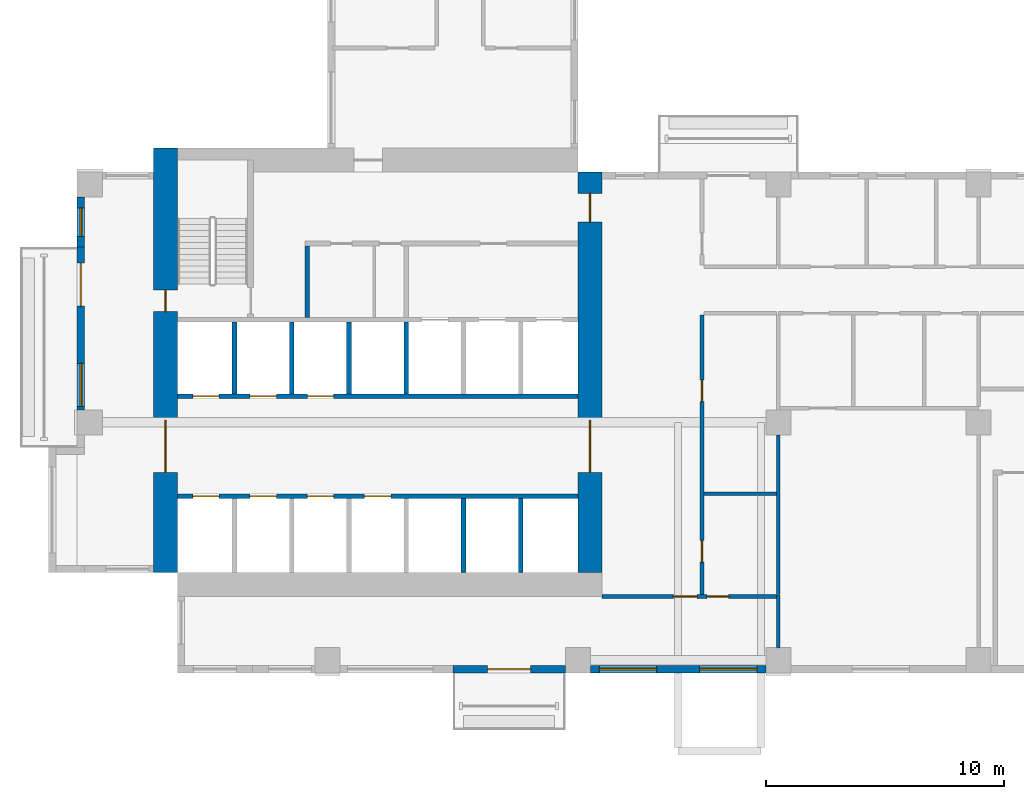
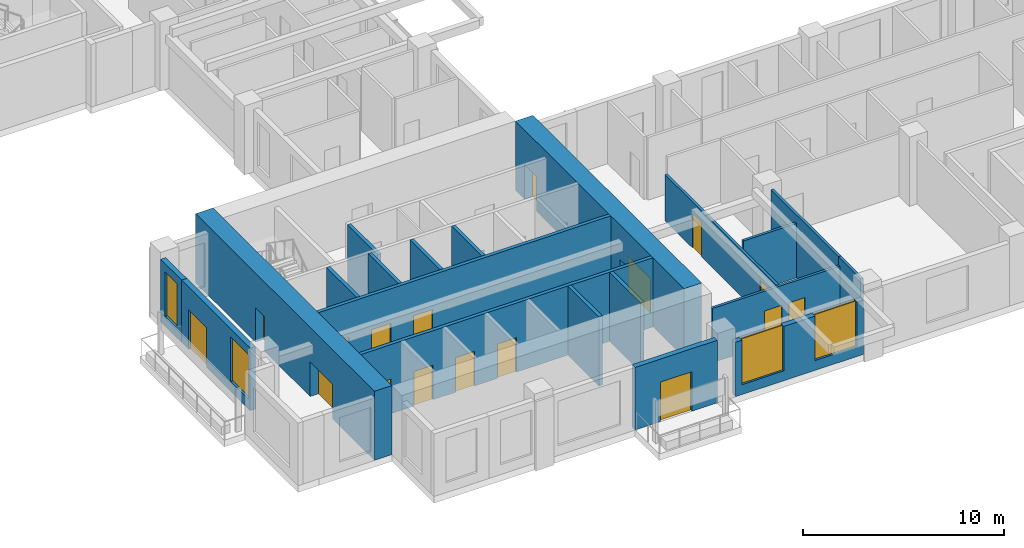
# One storey, part 2 of 14: 20 walls, 17 doors, 4 windows, 21 openings.
"""IFC4 building model written with IfcOpenShell, lengths in metres."""

from ifc_helpers import new_model, si_unit, direction, frame, frame_2d, origin, place, context, subcontext, project, spatial, rectangle, extrude, source, transform, mapped, material, layer, layer_set, type_object, element, fill, save


model = new_model("IFC4")

# Units and contexts
model_context = context("Model", 3, precision=1e-05, world=origin(), true_north=direction((0.0, 1.0)))
body_context = subcontext(model_context, "Body", "Model", "MODEL_VIEW")
ifc_project = project(units=[si_unit("LENGTHUNIT", "METRE"), si_unit("AREAUNIT", "SQUARE_METRE"), si_unit("VOLUMEUNIT", "CUBIC_METRE"), si_unit("PLANEANGLEUNIT", "RADIAN"), si_unit("MASSUNIT", "GRAM", prefix="KILO")], contexts=[model_context])

# Site, building, storey
site_placement = place(None, origin())
site = spatial("IfcSite", under=ifc_project, at=site_placement, CompositionType="ELEMENT")
building_placement = place(site_placement, origin())
building = spatial("IfcBuilding", under=site, at=building_placement, Name="Aurelian Terraces", CompositionType="ELEMENT")
storey_placement = place(building_placement, frame((0.0, 0.0, 128.7)))
storey = spatial("IfcBuildingStorey", under=building, at=storey_placement, Name="L28", CompositionType="ELEMENT", Elevation=128.7)

# Wall, openings, doors
ifc_material_1 = material(Name="Gypsum board on steel studs", Category="steel")
ifc_layer_1 = layer(ifc_material_1, 0.15)
ifc_layer_set_1 = layer_set([ifc_layer_1], Name="Partition 150")
wall_type_1 = type_object("IfcWallType", Name="Partition 150", PredefinedType="PARTITIONING", material=ifc_layer_set_1)
wall_1_placement = place(storey_placement, frame((26.2, 15.0, 0.0), z_axis=(0.0, 0.0, 1.0), x_axis=(0.0, -1.0, 0.0)))
wall_1 = element("IfcWall", 1, at=wall_1_placement, inside=storey, type_object=wall_type_1, Name="Partition", PredefinedType="PARTITIONING", context=body_context, shape_type="SweptSolid", body=[
    extrude(rectangle(XDim=11.725, YDim=0.15, at=frame_2d((5.8625, 0.0))), origin(), (0.0, 0.0, 1.0), 2.8),
])
shared_shape_1 = source(origin(), body_context, "Body", "SweptSolid", [
    extrude(rectangle(XDim=0.9, YDim=2.1, at=frame_2d((0.45, 1.05))), frame((0.0, 0.085, 0.0), z_axis=(0.0, -1.0, 0.0), x_axis=(1.0, 0.0, 0.0)), (0.0, 0.0, 1.0), 0.17),
])
opening_1_placement = place(wall_1_placement, frame((9.4625, 0.0, 0.0)))
opening_1 = element("IfcOpeningElement", 2, at=opening_1_placement, cuts=wall_1, Name="Opening 728001", PredefinedType="OPENING", context=body_context, shape_type="MappedRepresentation", body=[
    mapped(shared_shape_1, transform((0.0, 0.0, 0.0), scale=1.0)),
])
opening_2_placement = place(wall_1_placement, frame((2.725, 0.0, 0.0)))
opening_2 = element("IfcOpeningElement", 3, at=opening_2_placement, cuts=wall_1, Name="Opening 728002", PredefinedType="OPENING", context=body_context, shape_type="MappedRepresentation", body=[
    mapped(shared_shape_1, transform((0.0, 0.0, 0.0), scale=1.0)),
])
ifc_material_2 = material(Name="Timber door leaf", Category="wood")
door_type_1 = type_object("IfcDoorType", Name="Room door 900x2100 right", OperationType="SINGLE_SWING_RIGHT", PredefinedType="DOOR", material=ifc_material_2)
shared_shape_2 = source(origin(), body_context, "Body", "SweptSolid", [
    extrude(rectangle(XDim=0.9, YDim=2.1, at=frame_2d((0.45, 1.05))), frame((0.0, 0.025, 0.0), z_axis=(0.0, -1.0, 0.0), x_axis=(1.0, 0.0, 0.0)), (0.0, 0.0, 1.0), 0.05),
])
door_1_placement = place(opening_1_placement, origin())
door_1 = element("IfcDoor", 4, at=door_1_placement, inside=storey, type_object=door_type_1, Name="Door 728001", OperationType="SINGLE_SWING_RIGHT", OverallHeight=2.1, OverallWidth=0.9, PredefinedType="DOOR", context=body_context, shape_type="MappedRepresentation", body=[
    mapped(shared_shape_2, transform((0.0, 0.0, 0.0), scale=1.0)),
])
fill(opening_1, door_1)
door_type_2 = type_object("IfcDoorType", Name="Room door 900x2100 left", OperationType="SINGLE_SWING_LEFT", PredefinedType="DOOR", material=ifc_material_2)
door_2_placement = place(opening_2_placement, origin())
door_2 = element("IfcDoor", 5, at=door_2_placement, inside=storey, type_object=door_type_2, Name="Door 728002", OperationType="SINGLE_SWING_LEFT", OverallHeight=2.1, OverallWidth=0.9, PredefinedType="DOOR", context=body_context, shape_type="MappedRepresentation", body=[
    mapped(shared_shape_2, transform((0.0, 0.0, 0.0), scale=1.0)),
])
fill(opening_2, door_2)

# Wall
wall_2_placement = place(storey_placement, frame((29.325, 7.5, 0.0), z_axis=(0.0, 0.0, 1.0), x_axis=(-1.0, 0.0, 0.0)))
element("IfcWall", 6, at=wall_2_placement, inside=storey, type_object=wall_type_1, Name="Partition", PredefinedType="PARTITIONING", context=body_context, shape_type="SweptSolid", body=[
    extrude(rectangle(XDim=3.05, YDim=0.15, at=frame_2d((1.525, 0.0))), origin(), (0.0, 0.0, 1.0), 3.3),
])

# Wall, openings, doors
ifc_material_3 = material(Name="Concrete fc' 83 MPa", Category="concrete")
ifc_layer_2 = layer(ifc_material_3, 1.0)
ifc_layer_set_2 = layer_set([ifc_layer_2], Name="CORE WALL 1000 FC83")
wall_type_2 = type_object("IfcWallType", Name="CORE WALL 1000 FC83", PredefinedType="SHEAR", material=ifc_layer_set_2)
shared_shape_3 = source(origin(), body_context, "Body", "SweptSolid", [
    extrude(rectangle(XDim=17.8, YDim=1.0, at=frame_2d((8.9, 0.0))), origin(), (0.0, 0.0, 1.0), 4.2),
])
wall_3_placement = place(storey_placement, frame((3.7, 4.2, 0.0), z_axis=(0.0, 0.0, 1.0), x_axis=(0.0, 1.0, 0.0)))
wall_3 = element("IfcWall", 7, at=wall_3_placement, inside=storey, type_object=wall_type_2, Name="Core wall W L28", PredefinedType="SHEAR", context=body_context, shape_type="MappedRepresentation", body=[
    mapped(shared_shape_3, transform((0.0, 0.0, 0.0), scale=1.0)),
])
shared_shape_4 = source(origin(), body_context, "Body", "SweptSolid", [
    extrude(rectangle(XDim=2.2, YDim=2.1, at=frame_2d((1.1, 1.05))), frame((0.0, 0.51, 0.0), z_axis=(0.0, -1.0, 0.0), x_axis=(1.0, 0.0, 0.0)), (0.0, 0.0, 1.0), 1.02),
])
opening_3_placement = place(wall_3_placement, frame((4.2, 0.0, 0.0)))
opening_3 = element("IfcOpeningElement", 8, at=opening_3_placement, cuts=wall_3, Name="Opening 63121", PredefinedType="OPENING", context=body_context, shape_type="MappedRepresentation", body=[
    mapped(shared_shape_4, transform((0.0, 0.0, 0.0), scale=1.0)),
])
shared_shape_5 = source(origin(), body_context, "Body", "SweptSolid", [
    extrude(rectangle(XDim=0.9, YDim=2.1, at=frame_2d((0.45, 1.05))), frame((0.0, 0.51, 0.0), z_axis=(0.0, -1.0, 0.0), x_axis=(1.0, 0.0, 0.0)), (0.0, 0.0, 1.0), 1.02),
])
opening_4_placement = place(wall_3_placement, frame((10.95, 0.0, 0.0)))
opening_4 = element("IfcOpeningElement", 9, at=opening_4_placement, cuts=wall_3, Name="Opening 63124", PredefinedType="OPENING", context=body_context, shape_type="MappedRepresentation", body=[
    mapped(shared_shape_5, transform((0.0, 0.0, 0.0), scale=1.0)),
])
ifc_material_4 = material(Name="Steel door leaf", Category="steel")
door_type_3 = type_object("IfcDoorType", Name="Core service door 900x2100 right", OperationType="SINGLE_SWING_RIGHT", PredefinedType="DOOR", material=ifc_material_4)
door_3_placement = place(opening_4_placement, origin())
door_3 = element("IfcDoor", 10, at=door_3_placement, inside=storey, type_object=door_type_3, Name="Core door 63124", OperationType="SINGLE_SWING_RIGHT", OverallHeight=2.1, OverallWidth=0.9, PredefinedType="DOOR", context=body_context, shape_type="MappedRepresentation", body=[
    mapped(shared_shape_2, transform((0.0, 0.0, 0.0), scale=1.0)),
])
fill(opening_4, door_3)
door_type_4 = type_object("IfcDoorType", Name="Core double door 2200x2100", OperationType="DOUBLE_DOOR_SINGLE_SWING", PredefinedType="DOOR", material=ifc_material_4)
shared_shape_6 = source(origin(), body_context, "Body", "SweptSolid", [
    extrude(rectangle(XDim=2.2, YDim=2.1, at=frame_2d((1.1, 1.05))), frame((0.0, 0.025, 0.0), z_axis=(0.0, -1.0, 0.0), x_axis=(1.0, 0.0, 0.0)), (0.0, 0.0, 1.0), 0.05),
])
door_4_placement = place(opening_3_placement, origin())
door_4 = element("IfcDoor", 11, at=door_4_placement, inside=storey, type_object=door_type_4, Name="Core door 63121", OperationType="DOUBLE_DOOR_SINGLE_SWING", OverallHeight=2.1, OverallWidth=2.2, PredefinedType="DOOR", context=body_context, shape_type="MappedRepresentation", body=[
    mapped(shared_shape_6, transform((0.0, 0.0, 0.0), scale=1.0)),
])
fill(opening_3, door_4)

shared_shape_7 = source(origin(), body_context, "Body", "SweptSolid", [
    extrude(rectangle(XDim=16.8, YDim=1.0, at=frame_2d((8.4, 0.0))), origin(), (0.0, 0.0, 1.0), 4.2),
])
wall_4_placement = place(storey_placement, frame((21.5, 4.2, 0.0), z_axis=(0.0, 0.0, 1.0), x_axis=(0.0, 1.0, 0.0)))
wall_4 = element("IfcWall", 12, at=wall_4_placement, inside=storey, type_object=wall_type_2, Name="Core wall E L28", PredefinedType="SHEAR", context=body_context, shape_type="MappedRepresentation", body=[
    mapped(shared_shape_7, transform((0.0, 0.0, 0.0), scale=1.0)),
])
opening_5_placement = place(wall_4_placement, frame((4.2, 0.0, 0.0)))
opening_5 = element("IfcOpeningElement", 13, at=opening_5_placement, cuts=wall_4, Name="Opening 63120", PredefinedType="OPENING", context=body_context, shape_type="MappedRepresentation", body=[
    mapped(shared_shape_4, transform((0.0, 0.0, 0.0), scale=1.0)),
])
shared_shape_8 = source(origin(), body_context, "Body", "SweptSolid", [
    extrude(rectangle(XDim=1.2, YDim=2.1, at=frame_2d((0.6, 1.05))), frame((0.0, 0.51, 0.0), z_axis=(0.0, -1.0, 0.0), x_axis=(1.0, 0.0, 0.0)), (0.0, 0.0, 1.0), 1.02),
])
opening_6_placement = place(wall_4_placement, frame((14.7, 0.0, 0.0)))
opening_6 = element("IfcOpeningElement", 14, at=opening_6_placement, cuts=wall_4, Name="Opening 63123", PredefinedType="OPENING", context=body_context, shape_type="MappedRepresentation", body=[
    mapped(shared_shape_8, transform((0.0, 0.0, 0.0), scale=1.0)),
])
door_type_5 = type_object("IfcDoorType", Name="Core fire door 1200x2100", OperationType="SINGLE_SWING_LEFT", PredefinedType="DOOR", material=ifc_material_4)
shared_shape_9 = source(origin(), body_context, "Body", "SweptSolid", [
    extrude(rectangle(XDim=1.2, YDim=2.1, at=frame_2d((0.6, 1.05))), frame((0.0, 0.025, 0.0), z_axis=(0.0, -1.0, 0.0), x_axis=(1.0, 0.0, 0.0)), (0.0, 0.0, 1.0), 0.05),
])
door_5_placement = place(opening_6_placement, origin())
door_5 = element("IfcDoor", 15, at=door_5_placement, inside=storey, type_object=door_type_5, Name="Core door 63123", OperationType="SINGLE_SWING_LEFT", OverallHeight=2.1, OverallWidth=1.2, PredefinedType="DOOR", context=body_context, shape_type="MappedRepresentation", body=[
    mapped(shared_shape_9, transform((0.0, 0.0, 0.0), scale=1.0)),
])
fill(opening_6, door_5)
door_6_placement = place(opening_5_placement, origin())
door_6 = element("IfcDoor", 16, at=door_6_placement, inside=storey, type_object=door_type_4, Name="Core door 63120", OperationType="DOUBLE_DOOR_SINGLE_SWING", OverallHeight=2.1, OverallWidth=2.2, PredefinedType="DOOR", context=body_context, shape_type="MappedRepresentation", body=[
    mapped(shared_shape_6, transform((0.0, 0.0, 0.0), scale=1.0)),
])
fill(opening_5, door_6)

# Wall, opening, window
ifc_material_5 = material(Name="Terracotta rainscreen cladding", Category="masonry")
ifc_layer_3 = layer(ifc_material_5, 0.3)
ifc_layer_set_3 = layer_set([ifc_layer_3], Name="EW-300")
wall_type_3 = type_object("IfcWallType", Name="EW-300", PredefinedType="STANDARD", material=ifc_layer_set_3)
shared_shape_10 = source(origin(), body_context, "Body", "SweptSolid", [
    extrude(rectangle(XDim=2.1, YDim=0.3, at=frame_2d((1.05, 0.0))), origin(), (0.0, 0.0, 1.0), 3.8),
])
wall_5_placement = place(storey_placement, frame((0.15, 19.95, 0.0), z_axis=(0.0, 0.0, 1.0), x_axis=(0.0, -1.0, 0.0)))
wall_5 = element("IfcWall", 17, at=wall_5_placement, inside=storey, type_object=wall_type_3, Name="External wall L28 F22.43", PredefinedType="STANDARD", context=body_context, shape_type="MappedRepresentation", body=[
    mapped(shared_shape_10, transform((0.0, 0.0, 0.0), scale=1.0)),
])
shared_shape_11 = source(origin(), body_context, "Body", "SweptSolid", [
    extrude(rectangle(XDim=1.2, YDim=2.7, at=frame_2d((0.6, 1.35))), frame((0.0, 0.16, 0.0), z_axis=(0.0, -1.0, 0.0), x_axis=(1.0, 0.0, 0.0)), (0.0, 0.0, 1.0), 0.32),
])
opening_7_placement = place(wall_5_placement, frame((0.45, 0.0, 0.6)))
opening_7 = element("IfcOpeningElement", 18, at=opening_7_placement, cuts=wall_5, Name="Opening W1227", PredefinedType="OPENING", context=body_context, shape_type="MappedRepresentation", body=[
    mapped(shared_shape_11, transform((0.0, 0.0, 0.0), scale=1.0)),
])
ifc_material_6 = material(Name="Clear glazing", Category="glass")
window_type_1 = type_object("IfcWindowType", Name="W-1200x2700", PartitioningType="SINGLE_PANEL", PredefinedType="WINDOW", material=ifc_material_6)
shared_shape_12 = source(origin(), body_context, "Body", "SweptSolid", [
    extrude(rectangle(XDim=1.2, YDim=2.7, at=frame_2d((0.6, 1.35))), frame((0.0, 0.03, 0.0), z_axis=(0.0, -1.0, 0.0), x_axis=(1.0, 0.0, 0.0)), (0.0, 0.0, 1.0), 0.06),
])
window_1_placement = place(opening_7_placement, origin())
window_1 = element("IfcWindow", 19, at=window_1_placement, inside=storey, type_object=window_type_1, Name="Window L28 L28-F22-43-P0", OverallHeight=2.7, OverallWidth=1.2, PartitioningType="SINGLE_PANEL", PredefinedType="WINDOW", context=body_context, shape_type="MappedRepresentation", body=[
    mapped(shared_shape_12, transform((0.0, 0.0, 0.0), scale=1.0)),
])
fill(opening_7, window_1)

# Wall, openings, windows
shared_shape_13 = source(origin(), body_context, "Body", "SweptSolid", [
    extrude(rectangle(XDim=7.35, YDim=0.3, at=frame_2d((3.675, 0.0))), origin(), (0.0, 0.0, 1.0), 3.3),
])
wall_6_placement = place(storey_placement, frame((21.525, 0.15, 0.0), z_axis=(0.0, 0.0, 1.0), x_axis=(1.0, 0.0, 0.0)))
wall_6 = element("IfcWall", 20, at=wall_6_placement, inside=storey, type_object=wall_type_3, Name="External wall L28 F01.5", PredefinedType="STANDARD", context=body_context, shape_type="MappedRepresentation", body=[
    mapped(shared_shape_13, transform((0.0, 0.0, 0.0), scale=1.0)),
])
shared_shape_14 = source(origin(), body_context, "Body", "SweptSolid", [
    extrude(rectangle(XDim=2.4, YDim=2.7, at=frame_2d((1.2, 1.35))), frame((0.0, 0.16, 0.0), z_axis=(0.0, -1.0, 0.0), x_axis=(1.0, 0.0, 0.0)), (0.0, 0.0, 1.0), 0.32),
])
opening_8_placement = place(wall_6_placement, frame((0.375, 0.0, 0.6)))
opening_8 = element("IfcOpeningElement", 21, at=opening_8_placement, cuts=wall_6, Name="Opening W2427", PredefinedType="OPENING", context=body_context, shape_type="MappedRepresentation", body=[
    mapped(shared_shape_14, transform((0.0, 0.0, 0.0), scale=1.0)),
])
opening_9_placement = place(wall_6_placement, frame((4.575, 0.0, 0.6)))
opening_9 = element("IfcOpeningElement", 22, at=opening_9_placement, cuts=wall_6, Name="Opening W2427", PredefinedType="OPENING", context=body_context, shape_type="MappedRepresentation", body=[
    mapped(shared_shape_14, transform((0.0, 0.0, 0.0), scale=1.0)),
])
window_type_2 = type_object("IfcWindowType", Name="W-2400x2700", PartitioningType="SINGLE_PANEL", PredefinedType="WINDOW", material=ifc_material_6)
shared_shape_15 = source(origin(), body_context, "Body", "SweptSolid", [
    extrude(rectangle(XDim=2.4, YDim=2.7, at=frame_2d((1.2, 1.35))), frame((0.0, 0.03, 0.0), z_axis=(0.0, -1.0, 0.0), x_axis=(1.0, 0.0, 0.0)), (0.0, 0.0, 1.0), 0.06),
])
window_2_placement = place(opening_8_placement, origin())
window_2 = element("IfcWindow", 23, at=window_2_placement, inside=storey, type_object=window_type_2, Name="Window L28 L28-F01-05-0", OverallHeight=2.7, OverallWidth=2.4, PartitioningType="SINGLE_PANEL", PredefinedType="WINDOW", context=body_context, shape_type="MappedRepresentation", body=[
    mapped(shared_shape_15, transform((0.0, 0.0, 0.0), scale=1.0)),
])
fill(opening_8, window_2)
window_3_placement = place(opening_9_placement, origin())
window_3 = element("IfcWindow", 24, at=window_3_placement, inside=storey, type_object=window_type_2, Name="Window L28 L28-F01-05-1", OverallHeight=2.7, OverallWidth=2.4, PartitioningType="SINGLE_PANEL", PredefinedType="WINDOW", context=body_context, shape_type="MappedRepresentation", body=[
    mapped(shared_shape_15, transform((0.0, 0.0, 0.0), scale=1.0)),
])
fill(opening_9, window_3)

# Wall, openings, door, window
shared_shape_16 = source(origin(), body_context, "Body", "SweptSolid", [
    extrude(rectangle(XDim=6.825, YDim=0.3, at=frame_2d((3.4125, 0.0))), origin(), (0.0, 0.0, 1.0), 3.8),
])
wall_7_placement = place(storey_placement, frame((0.15, 17.85, 0.0), z_axis=(0.0, 0.0, 1.0), x_axis=(0.0, -1.0, 0.0)))
wall_7 = element("IfcWall", 25, at=wall_7_placement, inside=storey, type_object=wall_type_3, Name="External wall L28 F22.44", PredefinedType="STANDARD", context=body_context, shape_type="MappedRepresentation", body=[
    mapped(shared_shape_16, transform((0.0, 0.0, 0.0), scale=1.0)),
])
shared_shape_17 = source(origin(), body_context, "Body", "SweptSolid", [
    extrude(rectangle(XDim=1.8, YDim=2.4, at=frame_2d((0.9, 1.2))), frame((0.0, 0.16, 0.0), z_axis=(0.0, -1.0, 0.0), x_axis=(1.0, 0.0, 0.0)), (0.0, 0.0, 1.0), 0.32),
])
opening_10_placement = place(wall_7_placement, frame((0.675, 0.0, 0.0)))
opening_10 = element("IfcOpeningElement", 26, at=opening_10_placement, cuts=wall_7, Name="Opening 82803", PredefinedType="OPENING", context=body_context, shape_type="MappedRepresentation", body=[
    mapped(shared_shape_17, transform((0.0, 0.0, 0.0), scale=1.0)),
])
shared_shape_18 = source(origin(), body_context, "Body", "SweptSolid", [
    extrude(rectangle(XDim=1.8, YDim=2.7, at=frame_2d((0.9, 1.35))), frame((0.0, 0.16, 0.0), z_axis=(0.0, -1.0, 0.0), x_axis=(1.0, 0.0, 0.0)), (0.0, 0.0, 1.0), 0.32),
])
opening_11_placement = place(wall_7_placement, frame((4.875, 0.0, 0.6)))
opening_11 = element("IfcOpeningElement", 27, at=opening_11_placement, cuts=wall_7, Name="Opening W1827", PredefinedType="OPENING", context=body_context, shape_type="MappedRepresentation", body=[
    mapped(shared_shape_18, transform((0.0, 0.0, 0.0), scale=1.0)),
])
door_type_6 = type_object("IfcDoorType", Name="BD-1800x2400", OperationType="SLIDING_TO_LEFT", PredefinedType="DOOR", material=ifc_material_6)
shared_shape_19 = source(origin(), body_context, "Body", "SweptSolid", [
    extrude(rectangle(XDim=1.8, YDim=2.4, at=frame_2d((0.9, 1.2))), frame((0.0, 0.025, 0.0), z_axis=(0.0, -1.0, 0.0), x_axis=(1.0, 0.0, 0.0)), (0.0, 0.0, 1.0), 0.05),
])
door_7_placement = place(opening_10_placement, origin())
door_7 = element("IfcDoor", 28, at=door_7_placement, inside=storey, type_object=door_type_6, Name="Balcony door L28 F22.44", OperationType="SLIDING_TO_LEFT", OverallHeight=2.4, OverallWidth=1.8, PredefinedType="DOOR", context=body_context, shape_type="MappedRepresentation", body=[
    mapped(shared_shape_19, transform((0.0, 0.0, 0.0), scale=1.0)),
])
fill(opening_10, door_7)
window_type_3 = type_object("IfcWindowType", Name="W-1800x2700", PartitioningType="SINGLE_PANEL", PredefinedType="WINDOW", material=ifc_material_6)
shared_shape_20 = source(origin(), body_context, "Body", "SweptSolid", [
    extrude(rectangle(XDim=1.8, YDim=2.7, at=frame_2d((0.9, 1.35))), frame((0.0, 0.03, 0.0), z_axis=(0.0, -1.0, 0.0), x_axis=(1.0, 0.0, 0.0)), (0.0, 0.0, 1.0), 0.06),
])
window_4_placement = place(opening_11_placement, origin())
window_4 = element("IfcWindow", 29, at=window_4_placement, inside=storey, type_object=window_type_3, Name="Window L28 L28-F22-44-1", OverallHeight=2.7, OverallWidth=1.8, PartitioningType="SINGLE_PANEL", PredefinedType="WINDOW", context=body_context, shape_type="MappedRepresentation", body=[
    mapped(shared_shape_20, transform((0.0, 0.0, 0.0), scale=1.0)),
])
fill(opening_11, window_4)

# Wall, opening, door
shared_shape_21 = source(origin(), body_context, "Body", "SweptSolid", [
    extrude(rectangle(XDim=4.725, YDim=0.3, at=frame_2d((2.3625, 0.0))), origin(), (0.0, 0.0, 1.0), 3.8),
])
wall_8_placement = place(storey_placement, frame((15.75, 0.15, 0.0), z_axis=(0.0, 0.0, 1.0), x_axis=(1.0, 0.0, 0.0)))
wall_8 = element("IfcWall", 30, at=wall_8_placement, inside=storey, type_object=wall_type_3, Name="External wall L28 F01.4", PredefinedType="STANDARD", context=body_context, shape_type="MappedRepresentation", body=[
    mapped(shared_shape_21, transform((0.0, 0.0, 0.0), scale=1.0)),
])
opening_12_placement = place(wall_8_placement, frame((1.4625, 0.0, 0.0)))
opening_12 = element("IfcOpeningElement", 31, at=opening_12_placement, cuts=wall_8, Name="Opening 82801", PredefinedType="OPENING", context=body_context, shape_type="MappedRepresentation", body=[
    mapped(shared_shape_17, transform((0.0, 0.0, 0.0), scale=1.0)),
])
door_8_placement = place(opening_12_placement, origin())
door_8 = element("IfcDoor", 32, at=door_8_placement, inside=storey, type_object=door_type_6, Name="Balcony door L28 F01.4", OperationType="SLIDING_TO_LEFT", OverallHeight=2.4, OverallWidth=1.8, PredefinedType="DOOR", context=body_context, shape_type="MappedRepresentation", body=[
    mapped(shared_shape_19, transform((0.0, 0.0, 0.0), scale=1.0)),
])
fill(opening_12, door_8)

# Walls
ifc_material_7 = material(Name="Concrete fc' 40 MPa", Category="concrete")
ifc_layer_4 = layer(ifc_material_7, 0.2)
ifc_layer_set_4 = layer_set([ifc_layer_4], Name="Lift shaft wall 200")
wall_type_4 = type_object("IfcWallType", Name="Lift shaft wall 200", PredefinedType="SOLIDWALL", material=ifc_layer_set_4)
shared_shape_22 = source(origin(), body_context, "Body", "SweptSolid", [
    extrude(rectangle(XDim=3.1, YDim=0.2, at=frame_2d((1.55, 0.0))), origin(), (0.0, 0.0, 1.0), 4.2),
])
for number, where, z_axis, x_axis, name in (
    (33, (16.2, 4.2, 0.0), (0.0, 0.0, 1.0), (0.0, 1.0, 0.0), "L28 core wall CD-A5"),
    (34, (18.6, 4.2, 0.0), (0.0, 0.0, 1.0), (0.0, 1.0, 0.0), "L28 core wall CD-A6"),
):
    element("IfcWall", number, at=place(storey_placement, frame(where, z_axis=z_axis, x_axis=x_axis)), inside=storey, type_object=wall_type_4, Name=name, PredefinedType="SOLIDWALL", context=body_context, shape_type="MappedRepresentation", body=[
        mapped(shared_shape_22, transform((0.0, 0.0, 0.0), scale=1.0)),
    ])
shared_shape_23 = source(origin(), body_context, "Body", "SweptSolid", [
    extrude(rectangle(XDim=3.0, YDim=0.2, at=frame_2d((1.5, 0.0))), origin(), (0.0, 0.0, 1.0), 4.2),
])
for number, where, z_axis, x_axis, name in (
    (35, (6.6, 11.7, 0.0), (0.0, 0.0, 1.0), (0.0, 1.0, 0.0), "L28 core wall CD-B1"),
    (36, (9.0, 11.7, 0.0), (0.0, 0.0, 1.0), (0.0, 1.0, 0.0), "L28 core wall CD-B2"),
    (37, (11.4, 11.7, 0.0), (0.0, 0.0, 1.0), (0.0, 1.0, 0.0), "L28 core wall CD-B3"),
    (38, (13.8, 11.7, 0.0), (0.0, 0.0, 1.0), (0.0, 1.0, 0.0), "L28 core wall CD-B4"),
):
    element("IfcWall", number, at=place(storey_placement, frame(where, z_axis=z_axis, x_axis=x_axis)), inside=storey, type_object=wall_type_4, Name=name, PredefinedType="SOLIDWALL", context=body_context, shape_type="MappedRepresentation", body=[
        mapped(shared_shape_23, transform((0.0, 0.0, 0.0), scale=1.0)),
    ])

# Wall, openings, doors
shared_shape_24 = source(origin(), body_context, "Body", "SweptSolid", [
    extrude(rectangle(XDim=16.8, YDim=0.2, at=frame_2d((8.4, 0.0))), origin(), (0.0, 0.0, 1.0), 4.2),
])
wall_9_placement = place(storey_placement, frame((4.2, 7.4, 0.0), z_axis=(0.0, 0.0, 1.0), x_axis=(1.0, 0.0, 0.0)))
wall_9 = element("IfcWall", 39, at=wall_9_placement, inside=storey, type_object=wall_type_4, Name="L28 core wall CF-AF1", PredefinedType="SOLIDWALL", context=body_context, shape_type="MappedRepresentation", body=[
    mapped(shared_shape_24, transform((0.0, 0.0, 0.0), scale=1.0)),
])
shared_shape_25 = source(origin(), body_context, "Body", "SweptSolid", [
    extrude(rectangle(XDim=1.1, YDim=2.1, at=frame_2d((0.55, 1.05))), frame((0.0, 0.11, 0.0), z_axis=(0.0, -1.0, 0.0), x_axis=(1.0, 0.0, 0.0)), (0.0, 0.0, 1.0), 0.22),
])
opening_13_placement = place(wall_9_placement, frame((0.65, 0.0, 0.0)))
opening_13 = element("IfcOpeningElement", 40, at=opening_13_placement, cuts=wall_9, Name="Opening 63100", PredefinedType="OPENING", context=body_context, shape_type="MappedRepresentation", body=[
    mapped(shared_shape_25, transform((0.0, 0.0, 0.0), scale=1.0)),
])
opening_14_placement = place(wall_9_placement, frame((3.05, 0.0, 0.0)))
opening_14 = element("IfcOpeningElement", 41, at=opening_14_placement, cuts=wall_9, Name="Opening 63101", PredefinedType="OPENING", context=body_context, shape_type="MappedRepresentation", body=[
    mapped(shared_shape_25, transform((0.0, 0.0, 0.0), scale=1.0)),
])
opening_15_placement = place(wall_9_placement, frame((5.45, 0.0, 0.0)))
opening_15 = element("IfcOpeningElement", 42, at=opening_15_placement, cuts=wall_9, Name="Opening 63102", PredefinedType="OPENING", context=body_context, shape_type="MappedRepresentation", body=[
    mapped(shared_shape_25, transform((0.0, 0.0, 0.0), scale=1.0)),
])
opening_16_placement = place(wall_9_placement, frame((7.85, 0.0, 0.0)))
opening_16 = element("IfcOpeningElement", 43, at=opening_16_placement, cuts=wall_9, Name="Opening 63103", PredefinedType="OPENING", context=body_context, shape_type="MappedRepresentation", body=[
    mapped(shared_shape_25, transform((0.0, 0.0, 0.0), scale=1.0)),
])
ifc_material_8 = material(Name="Stainless steel", Category="steel")
door_type_7 = type_object("IfcDoorType", Name="Lift landing door 1100x2100", OperationType="SLIDING_TO_LEFT", PredefinedType="DOOR", material=ifc_material_8)
shared_shape_26 = source(origin(), body_context, "Body", "SweptSolid", [
    extrude(rectangle(XDim=1.1, YDim=2.1, at=frame_2d((0.55, 1.05))), frame((0.0, 0.025, 0.0), z_axis=(0.0, -1.0, 0.0), x_axis=(1.0, 0.0, 0.0)), (0.0, 0.0, 1.0), 0.05),
])
door_9_placement = place(opening_13_placement, origin())
door_9 = element("IfcDoor", 44, at=door_9_placement, inside=storey, type_object=door_type_7, Name="Lift landing door LL1 L28", OperationType="SLIDING_TO_LEFT", OverallHeight=2.1, OverallWidth=1.1, PredefinedType="DOOR", context=body_context, shape_type="MappedRepresentation", body=[
    mapped(shared_shape_26, transform((0.0, 0.0, 0.0), scale=1.0)),
])
fill(opening_13, door_9)
door_10_placement = place(opening_14_placement, origin())
door_10 = element("IfcDoor", 45, at=door_10_placement, inside=storey, type_object=door_type_7, Name="Lift landing door LL2 L28", OperationType="SLIDING_TO_LEFT", OverallHeight=2.1, OverallWidth=1.1, PredefinedType="DOOR", context=body_context, shape_type="MappedRepresentation", body=[
    mapped(shared_shape_26, transform((0.0, 0.0, 0.0), scale=1.0)),
])
fill(opening_14, door_10)
door_11_placement = place(opening_15_placement, origin())
door_11 = element("IfcDoor", 46, at=door_11_placement, inside=storey, type_object=door_type_7, Name="Lift landing door LL3 L28", OperationType="SLIDING_TO_LEFT", OverallHeight=2.1, OverallWidth=1.1, PredefinedType="DOOR", context=body_context, shape_type="MappedRepresentation", body=[
    mapped(shared_shape_26, transform((0.0, 0.0, 0.0), scale=1.0)),
])
fill(opening_15, door_11)
door_12_placement = place(opening_16_placement, origin())
door_12 = element("IfcDoor", 47, at=door_12_placement, inside=storey, type_object=door_type_7, Name="Lift landing door LL4 L28", OperationType="SLIDING_TO_LEFT", OverallHeight=2.1, OverallWidth=1.1, PredefinedType="DOOR", context=body_context, shape_type="MappedRepresentation", body=[
    mapped(shared_shape_26, transform((0.0, 0.0, 0.0), scale=1.0)),
])
fill(opening_16, door_12)

wall_10_placement = place(storey_placement, frame((4.2, 11.6, 0.0), z_axis=(0.0, 0.0, 1.0), x_axis=(1.0, 0.0, 0.0)))
wall_10 = element("IfcWall", 48, at=wall_10_placement, inside=storey, type_object=wall_type_4, Name="L28 core wall CF-BF1", PredefinedType="SOLIDWALL", context=body_context, shape_type="MappedRepresentation", body=[
    mapped(shared_shape_24, transform((0.0, 0.0, 0.0), scale=1.0)),
])
opening_17_placement = place(wall_10_placement, frame((0.65, 0.0, 0.0)))
opening_17 = element("IfcOpeningElement", 49, at=opening_17_placement, cuts=wall_10, Name="Opening 63104", PredefinedType="OPENING", context=body_context, shape_type="MappedRepresentation", body=[
    mapped(shared_shape_25, transform((0.0, 0.0, 0.0), scale=1.0)),
])
opening_18_placement = place(wall_10_placement, frame((3.05, 0.0, 0.0)))
opening_18 = element("IfcOpeningElement", 50, at=opening_18_placement, cuts=wall_10, Name="Opening 63105", PredefinedType="OPENING", context=body_context, shape_type="MappedRepresentation", body=[
    mapped(shared_shape_25, transform((0.0, 0.0, 0.0), scale=1.0)),
])
opening_19_placement = place(wall_10_placement, frame((5.45, 0.0, 0.0)))
opening_19 = element("IfcOpeningElement", 51, at=opening_19_placement, cuts=wall_10, Name="Opening 63106", PredefinedType="OPENING", context=body_context, shape_type="MappedRepresentation", body=[
    mapped(shared_shape_25, transform((0.0, 0.0, 0.0), scale=1.0)),
])
door_13_placement = place(opening_17_placement, origin())
door_13 = element("IfcDoor", 52, at=door_13_placement, inside=storey, type_object=door_type_7, Name="Lift landing door LL5 L28", OperationType="SLIDING_TO_LEFT", OverallHeight=2.1, OverallWidth=1.1, PredefinedType="DOOR", context=body_context, shape_type="MappedRepresentation", body=[
    mapped(shared_shape_26, transform((0.0, 0.0, 0.0), scale=1.0)),
])
fill(opening_17, door_13)
door_14_placement = place(opening_18_placement, origin())
door_14 = element("IfcDoor", 53, at=door_14_placement, inside=storey, type_object=door_type_7, Name="Lift landing door LL6 L28", OperationType="SLIDING_TO_LEFT", OverallHeight=2.1, OverallWidth=1.1, PredefinedType="DOOR", context=body_context, shape_type="MappedRepresentation", body=[
    mapped(shared_shape_26, transform((0.0, 0.0, 0.0), scale=1.0)),
])
fill(opening_18, door_14)
door_15_placement = place(opening_19_placement, origin())
door_15 = element("IfcDoor", 54, at=door_15_placement, inside=storey, type_object=door_type_7, Name="Lift landing door LL7 L28", OperationType="SLIDING_TO_LEFT", OverallHeight=2.1, OverallWidth=1.1, PredefinedType="DOOR", context=body_context, shape_type="MappedRepresentation", body=[
    mapped(shared_shape_26, transform((0.0, 0.0, 0.0), scale=1.0)),
])
fill(opening_19, door_15)

# Walls
ifc_layer_5 = layer(ifc_material_1, 0.2)
ifc_layer_set_5 = layer_set([ifc_layer_5], Name="Core partition 200")
wall_type_5 = type_object("IfcWallType", Name="Core partition 200", PredefinedType="PARTITIONING", material=ifc_layer_set_5)
shared_shape_27 = source(origin(), body_context, "Body", "SweptSolid", [
    extrude(rectangle(XDim=3.0, YDim=0.2, at=frame_2d((1.5, 0.0))), origin(), (0.0, 0.0, 1.0), 3.8),
])
wall_11_placement = place(storey_placement, frame((9.65, 14.9, 0.0), z_axis=(0.0, 0.0, 1.0), x_axis=(0.0, 1.0, 0.0)))
element("IfcWall", 55, at=wall_11_placement, inside=storey, type_object=wall_type_5, Name="L28 core wall CP-VEST", PredefinedType="PARTITIONING", context=body_context, shape_type="MappedRepresentation", body=[
    mapped(shared_shape_27, transform((0.0, 0.0, 0.0), scale=1.0)),
])
shared_shape_28 = source(origin(), body_context, "Body", "SweptSolid", [
    extrude(rectangle(XDim=6.701, YDim=0.15, at=frame_2d((3.3505, 0.0))), origin(), (0.0, 0.0, 1.0), 3.8),
])
wall_12_placement = place(storey_placement, frame((29.4, 3.275, 0.0), z_axis=(0.0, 0.0, 1.0), x_axis=(0.0, 1.0, 0.0)))
element("IfcWall", 56, at=wall_12_placement, inside=storey, type_object=wall_type_1, Name="Partition", PredefinedType="PARTITIONING", context=body_context, shape_type="MappedRepresentation", body=[
    mapped(shared_shape_28, transform((0.0, 0.0, 0.0), scale=1.0)),
])
shared_shape_29 = source(origin(), body_context, "Body", "SweptSolid", [
    extrude(rectangle(XDim=2.206, YDim=0.15, at=frame_2d((1.103, 0.0))), origin(), (0.0, 0.0, 1.0), 3.8),
])
wall_13_placement = place(storey_placement, frame((29.4, 1.049, 0.0), z_axis=(0.0, 0.0, 1.0), x_axis=(0.0, 1.0, 0.0)))
element("IfcWall", 57, at=wall_13_placement, inside=storey, type_object=wall_type_1, Name="Partition", PredefinedType="PARTITIONING", context=body_context, shape_type="MappedRepresentation", body=[
    mapped(shared_shape_29, transform((0.0, 0.0, 0.0), scale=1.0)),
])

# Wall, openings, doors
shared_shape_30 = source(origin(), body_context, "Body", "SweptSolid", [
    extrude(rectangle(XDim=7.325, YDim=0.15, at=frame_2d((3.6625, 0.0))), origin(), (0.0, 0.0, 1.0), 3.3),
])
wall_14_placement = place(storey_placement, frame((22.0, 3.2, 0.0), z_axis=(0.0, 0.0, 1.0), x_axis=(1.0, 0.0, 0.0)))
wall_14 = element("IfcWall", 58, at=wall_14_placement, inside=storey, type_object=wall_type_1, Name="Partition", PredefinedType="PARTITIONING", context=body_context, shape_type="MappedRepresentation", body=[
    mapped(shared_shape_30, transform((0.0, 0.0, 0.0), scale=1.0)),
])
shared_shape_31 = source(origin(), body_context, "Body", "SweptSolid", [
    extrude(rectangle(XDim=1.0, YDim=2.1, at=frame_2d((0.5, 1.05))), frame((0.0, 0.085, 0.0), z_axis=(0.0, -1.0, 0.0), x_axis=(1.0, 0.0, 0.0)), (0.0, 0.0, 1.0), 0.17),
])
opening_20_placement = place(wall_14_placement, frame((3.0, 0.0, 0.0)))
opening_20 = element("IfcOpeningElement", 59, at=opening_20_placement, cuts=wall_14, Name="Opening 728004", PredefinedType="OPENING", context=body_context, shape_type="MappedRepresentation", body=[
    mapped(shared_shape_31, transform((0.0, 0.0, 0.0), scale=1.0)),
])
opening_21_placement = place(wall_14_placement, frame((4.413, 0.0, 0.0)))
opening_21 = element("IfcOpeningElement", 60, at=opening_21_placement, cuts=wall_14, Name="Opening 728042", PredefinedType="OPENING", context=body_context, shape_type="MappedRepresentation", body=[
    mapped(shared_shape_1, transform((0.0, 0.0, 0.0), scale=1.0)),
])
door_type_8 = type_object("IfcDoorType", Name="Room door 1000x2100 left", OperationType="SINGLE_SWING_LEFT", PredefinedType="DOOR", material=ifc_material_2)
shared_shape_32 = source(origin(), body_context, "Body", "SweptSolid", [
    extrude(rectangle(XDim=1.0, YDim=2.1, at=frame_2d((0.5, 1.05))), frame((0.0, 0.025, 0.0), z_axis=(0.0, -1.0, 0.0), x_axis=(1.0, 0.0, 0.0)), (0.0, 0.0, 1.0), 0.05),
])
door_16_placement = place(opening_20_placement, origin())
door_16 = element("IfcDoor", 61, at=door_16_placement, inside=storey, type_object=door_type_8, Name="Door 728004", OperationType="SINGLE_SWING_LEFT", OverallHeight=2.1, OverallWidth=1.0, PredefinedType="DOOR", context=body_context, shape_type="MappedRepresentation", body=[
    mapped(shared_shape_32, transform((0.0, 0.0, 0.0), scale=1.0)),
])
fill(opening_20, door_16)
door_17_placement = place(opening_21_placement, origin())
door_17 = element("IfcDoor", 62, at=door_17_placement, inside=storey, type_object=door_type_2, Name="Door 728042", OperationType="SINGLE_SWING_LEFT", OverallHeight=2.1, OverallWidth=0.9, PredefinedType="DOOR", context=body_context, shape_type="MappedRepresentation", body=[
    mapped(shared_shape_2, transform((0.0, 0.0, 0.0), scale=1.0)),
])
fill(opening_21, door_17)

save(model, "model.ifc")
